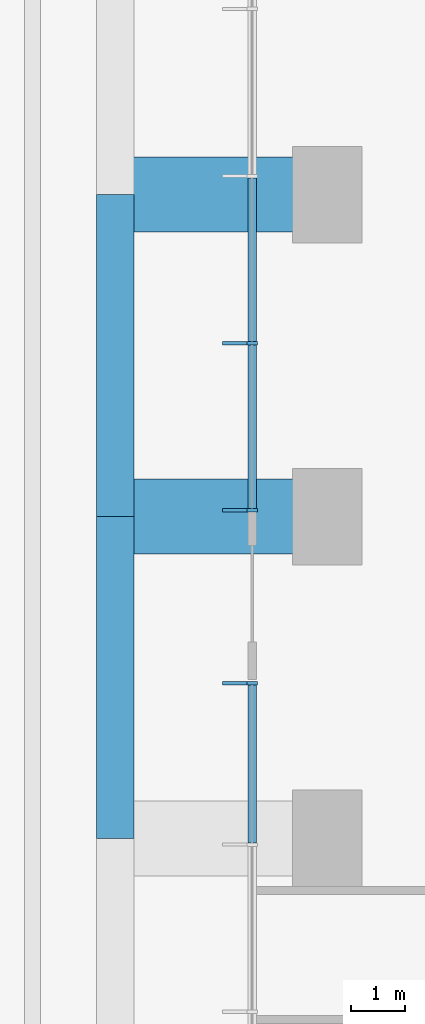
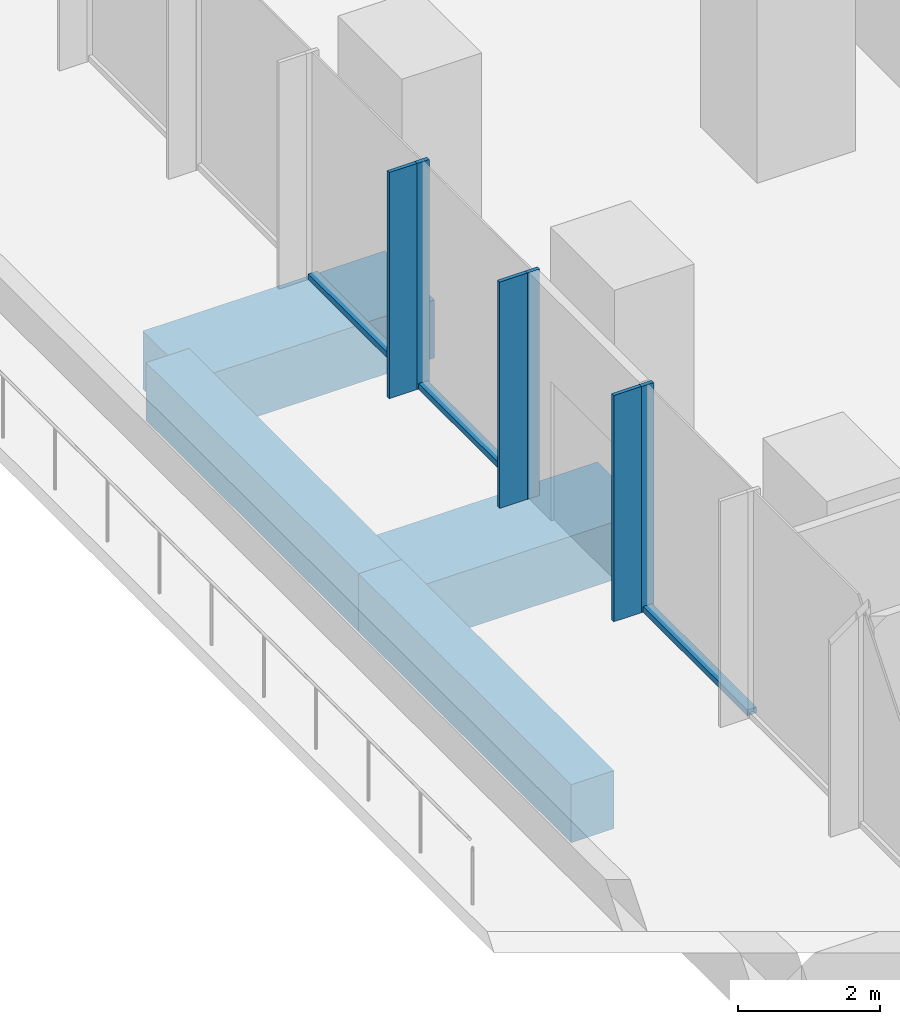
# One storey, part 3 of 11: 9 members, 4 beams, 2 elements without a shape of their own.
"""IFC4 building model written with IfcOpenShell, lengths in metres."""

from ifc_helpers import new_model, si_unit, direction, frame, origin, origin_2d, place, context, subcontext, project, spatial, rectangle, extrude, material, layer, layer_set, material_profile, profile_set, type_object, element, aggregate, save


model = new_model("IFC4")

# Units and contexts
model_context = context("Model", 3, precision=1e-05, world=origin(), true_north=direction((0.0, 1.0)))
body_context = subcontext(model_context, "Body", "Model", "MODEL_VIEW")
ifc_project = project(units=[si_unit("LENGTHUNIT", "METRE"), si_unit("AREAUNIT", "SQUARE_METRE"), si_unit("VOLUMEUNIT", "CUBIC_METRE"), si_unit("PLANEANGLEUNIT", "RADIAN"), si_unit("MASSUNIT", "GRAM", prefix="KILO")], contexts=[model_context])

# Site, building, storey
site_placement = place(None, origin())
site = spatial("IfcSite", under=ifc_project, at=site_placement, CompositionType="ELEMENT")
building_placement = place(site_placement, origin())
building = spatial("IfcBuilding", under=site, at=building_placement, Name="Highveld Stack Headquarters", CompositionType="ELEMENT")
storey_placement = place(building_placement, frame((0.0, 0.0, 140.60009765625)))
storey = spatial("IfcBuildingStorey", under=building, at=storey_placement, Name="L34", CompositionType="ELEMENT", Elevation=140.60009765625)

# Beams
ifc_material_1 = material(Name="Concrete C60/75", Category="concrete")
ifc_material_profile_1 = material_profile(ifc_material_1, rectangle(XDim=1.39990234375, YDim=1.0, at=origin_2d()), Name="RC 1400x1000")
ifc_profile_set_1 = profile_set([ifc_material_profile_1], Name="Concrete C60/75")
beam_type_1 = type_object("IfcBeamType", Name="CANTILEVER RIB RC 1400x1000", PredefinedType="USERDEFINED", material=ifc_profile_set_1)
for number, where, z_axis, x_axis, name in (
    (1, (-18.0, 6.0, -0.75), (-1.0, 0.0, 0.0), (0.0, -1.0, 0.0), "Cantilever rib 3/F L34"),
    (2, (-18.0, 12.0, -0.75), (-1.0, 0.0, 0.0), (0.0, -1.0, 0.0), "Cantilever rib 3/G L34"),
):
    element("IfcBeam", number, at=place(storey_placement, frame(where, z_axis=z_axis, x_axis=x_axis)), inside=storey, type_object=beam_type_1, Name=name, ObjectType="CANTILEVER RIB", PredefinedType="USERDEFINED", context=body_context, shape_type="SweptSolid", body=[
        extrude(rectangle(XDim=1.39990234375, YDim=1.0, at=origin_2d()), origin(), (0.0, 0.0, 1.0), 3.949951171875),
    ])

# Curtain wall, members
ifc_material_2 = material(Name="Aluminium bronze anodised", Category="aluminium")
ifc_layer = layer(ifc_material_2, 0.199951171875)
ifc_layer_set = layer_set([ifc_layer], Name="Aluminium bronze anodised")
curtain_wall_type = type_object("IfcCurtainWallType", Name="CW1 TOWER UNITISED CURTAIN WALL", PredefinedType="NOTDEFINED", material=ifc_layer_set)
curtain_wall_1_placement = place(storey_placement, origin())
curtain_wall_1 = element("IfcCurtainWall", 3, at=curtain_wall_1_placement, inside=storey, type_object=curtain_wall_type, Name="Curtain wall CW1 L34 W-1", PredefinedType="NOTDEFINED")
ifc_material_3 = material(Name="Aluminium bronze anodised", Category="aluminium")
ifc_material_profile_2 = material_profile(ifc_material_3, rectangle(XDim=0.449951171875, YDim=0.06005859375, at=origin_2d()), Name="FIN 450x60")
ifc_profile_set_2 = profile_set([ifc_material_profile_2], Name="Aluminium bronze anodised")
member_type_1 = type_object("IfcMemberType", Name="CW1 BRONZE FIN 450x60", PredefinedType="USERDEFINED", material=ifc_profile_set_2)
member_1_placement = place(storey_placement, frame((-19.72509765625, 9.23193359375, 0.0), z_axis=(0.0, 0.0, 1.0), x_axis=(1.0, 0.0, 0.0)))
member_1 = element("IfcMember", 4, at=member_1_placement, type_object=member_type_1, Name="CW1 fin L34 4", ObjectType="FIN", PredefinedType="USERDEFINED", context=body_context, shape_type="SweptSolid", body=[
    extrude(rectangle(XDim=0.449951171875, YDim=0.06005859375, at=origin_2d()), origin(), (0.0, 0.0, 1.0), 3.89990234375),
])
member_2_placement = place(storey_placement, frame((-19.72509765625, 6.115966796875, 0.0), z_axis=(0.0, 0.0, 1.0), x_axis=(1.0, 0.0, 0.0)))
member_2 = element("IfcMember", 5, at=member_2_placement, type_object=member_type_1, Name="CW1 fin L34 5", ObjectType="FIN", PredefinedType="USERDEFINED", context=body_context, shape_type="SweptSolid", body=[
    extrude(rectangle(XDim=0.449951171875, YDim=0.06005859375, at=origin_2d()), origin(), (0.0, 0.0, 1.0), 3.89990234375),
])

# Curtain wall, member
curtain_wall_2_placement = place(storey_placement, origin())
curtain_wall_2 = element("IfcCurtainWall", 6, at=curtain_wall_2_placement, inside=storey, type_object=curtain_wall_type, Name="Curtain wall CW1 L34 W-2", PredefinedType="NOTDEFINED")
member_3_placement = place(storey_placement, frame((-19.72509765625, 2.892578125, 0.0), z_axis=(0.0, 0.0, 1.0), x_axis=(1.0, 0.0, 0.0)))
member_3 = element("IfcMember", 7, at=member_3_placement, type_object=member_type_1, Name="CW1 fin L34 1", ObjectType="FIN", PredefinedType="USERDEFINED", context=body_context, shape_type="SweptSolid", body=[
    extrude(rectangle(XDim=0.449951171875, YDim=0.06005859375, at=origin_2d()), origin(), (0.0, 0.0, 1.0), 3.89990234375),
])

# Member
ifc_material_4 = material(Name="Aluminium bronze anodised", Category="aluminium")
ifc_material_profile_3 = material_profile(ifc_material_4, rectangle(XDim=0.199951171875, YDim=0.06494140625, at=origin_2d()), Name="CW1 MULLION 65x200")
ifc_profile_set_3 = profile_set([ifc_material_profile_3], Name="Aluminium bronze anodised")
member_type_2 = type_object("IfcMemberType", Name="CW1 MULLION 65x200", PredefinedType="MULLION", material=ifc_profile_set_3)
member_4_placement = place(storey_placement, frame((-19.39990234375, 9.23193359375, 0.0), z_axis=(0.0, 0.0, 1.0), x_axis=(1.0, 0.0, 0.0)))
member_4 = element("IfcMember", 8, at=member_4_placement, type_object=member_type_2, Name="CW1 mullion L34 4", PredefinedType="MULLION", context=body_context, shape_type="SweptSolid", body=[
    extrude(rectangle(XDim=0.199951171875, YDim=0.06494140625, at=origin_2d()), origin(), (0.0, 0.0, 1.0), 3.89990234375),
])

member_5_placement = place(storey_placement, frame((-19.39990234375, 6.115966796875, 0.0), z_axis=(0.0, 0.0, 1.0), x_axis=(1.0, 0.0, 0.0)))
member_5 = element("IfcMember", 9, at=member_5_placement, type_object=member_type_2, Name="CW1 mullion L34 5", PredefinedType="MULLION", context=body_context, shape_type="SweptSolid", body=[
    extrude(rectangle(XDim=0.199951171875, YDim=0.06494140625, at=origin_2d()), origin(), (0.0, 0.0, 1.0), 3.89990234375),
])

member_6_placement = place(storey_placement, frame((-19.39990234375, 2.892578125, 0.0), z_axis=(0.0, 0.0, 1.0), x_axis=(1.0, 0.0, 0.0)))
member_6 = element("IfcMember", 10, at=member_6_placement, type_object=member_type_2, Name="CW1 mullion L34 1", PredefinedType="MULLION", context=body_context, shape_type="SweptSolid", body=[
    extrude(rectangle(XDim=0.199951171875, YDim=0.06494140625, at=origin_2d()), origin(), (0.0, 0.0, 1.0), 3.89990234375),
])

ifc_material_5 = material(Name="Aluminium bronze anodised", Category="aluminium")
ifc_material_profile_4 = material_profile(ifc_material_5, rectangle(XDim=0.14990234375, YDim=0.10009765625, at=origin_2d()), Name="CW1 TRANSOM 150x100")
ifc_profile_set_4 = profile_set([ifc_material_profile_4], Name="Aluminium bronze anodised")
member_type_3 = type_object("IfcMemberType", Name="CW1 STACK TRANSOM 150x100", PredefinedType="USERDEFINED", material=ifc_profile_set_4)
member_7_placement = place(storey_placement, frame((-19.39990234375, 12.3154296875, 0.0498046875), z_axis=(0.0, -1.0, 0.0), x_axis=(1.0, 0.0, 0.0)))
member_7 = element("IfcMember", 11, at=member_7_placement, type_object=member_type_3, Name="CW1 transom L34 3.1", ObjectType="TRANSOM", PredefinedType="USERDEFINED", context=body_context, shape_type="SweptSolid", body=[
    extrude(rectangle(XDim=0.14990234375, YDim=0.10009765625, at=origin_2d()), origin(), (0.0, 0.0, 1.0), 3.051025390625),
])

member_8_placement = place(storey_placement, frame((-19.39990234375, 9.199462890625, 0.0498046875), z_axis=(0.0, -1.0, 0.0), x_axis=(1.0, 0.0, 0.0)))
member_8 = element("IfcMember", 12, at=member_8_placement, type_object=member_type_3, Name="CW1 transom L34 4.1", ObjectType="TRANSOM", PredefinedType="USERDEFINED", context=body_context, shape_type="SweptSolid", body=[
    extrude(rectangle(XDim=0.14990234375, YDim=0.10009765625, at=origin_2d()), origin(), (0.0, 0.0, 1.0), 3.051025390625),
])

aggregate(curtain_wall_1, [member_4, member_1, member_5, member_2, member_7, member_8])

member_9_placement = place(storey_placement, frame((-19.39990234375, 2.860107421875, 0.0498046875), z_axis=(0.0, -1.0, 0.0), x_axis=(1.0, 0.0, 0.0)))
member_9 = element("IfcMember", 13, at=member_9_placement, type_object=member_type_3, Name="CW1 transom L34 6.1", ObjectType="TRANSOM", PredefinedType="USERDEFINED", context=body_context, shape_type="SweptSolid", body=[
    extrude(rectangle(XDim=0.14990234375, YDim=0.10009765625, at=origin_2d()), origin(), (0.0, 0.0, 1.0), 2.943603515625),
])

aggregate(curtain_wall_2, [member_6, member_3, member_9])

# Beams
ifc_material_6 = material(Name="Concrete C60/75", Category="concrete")
ifc_material_profile_5 = material_profile(ifc_material_6, rectangle(XDim=0.699951171875, YDim=1.0, at=origin_2d()), Name="RC 700x1000")
ifc_profile_set_5 = profile_set([ifc_material_profile_5], Name="Concrete C60/75")
beam_type_2 = type_object("IfcBeamType", Name="RIB TIP BEAM RC 700x1000", PredefinedType="SPANDREL", material=ifc_profile_set_5)
for number, where, z_axis, x_axis, name in (
    (14, (-21.949951171875, 0.0, -0.75), (0.0, 1.0, 0.0), (-1.0, 0.0, 0.0), "Rib tip beam 3/E to 3/F L34"),
    (15, (-21.949951171875, 6.0, -0.75), (0.0, 1.0, 0.0), (-1.0, 0.0, 0.0), "Rib tip beam 3/F to 3/G L34"),
):
    element("IfcBeam", number, at=place(storey_placement, frame(where, z_axis=z_axis, x_axis=x_axis)), inside=storey, type_object=beam_type_2, Name=name, PredefinedType="SPANDREL", context=body_context, shape_type="SweptSolid", body=[
        extrude(rectangle(XDim=0.699951171875, YDim=1.0, at=origin_2d()), origin(), (0.0, 0.0, 1.0), 6.0),
    ])

save(model, "model.ifc")
